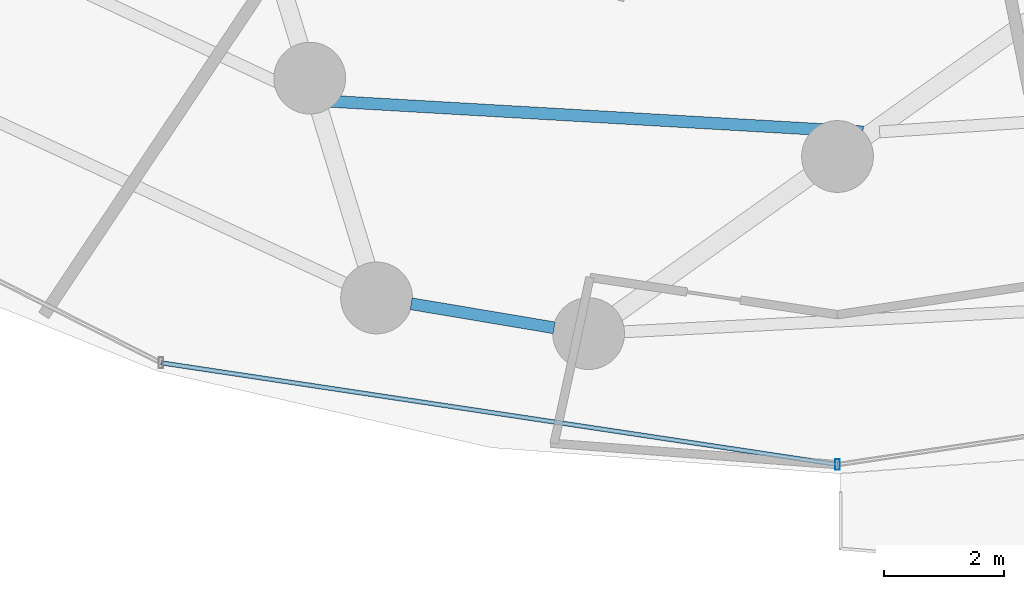
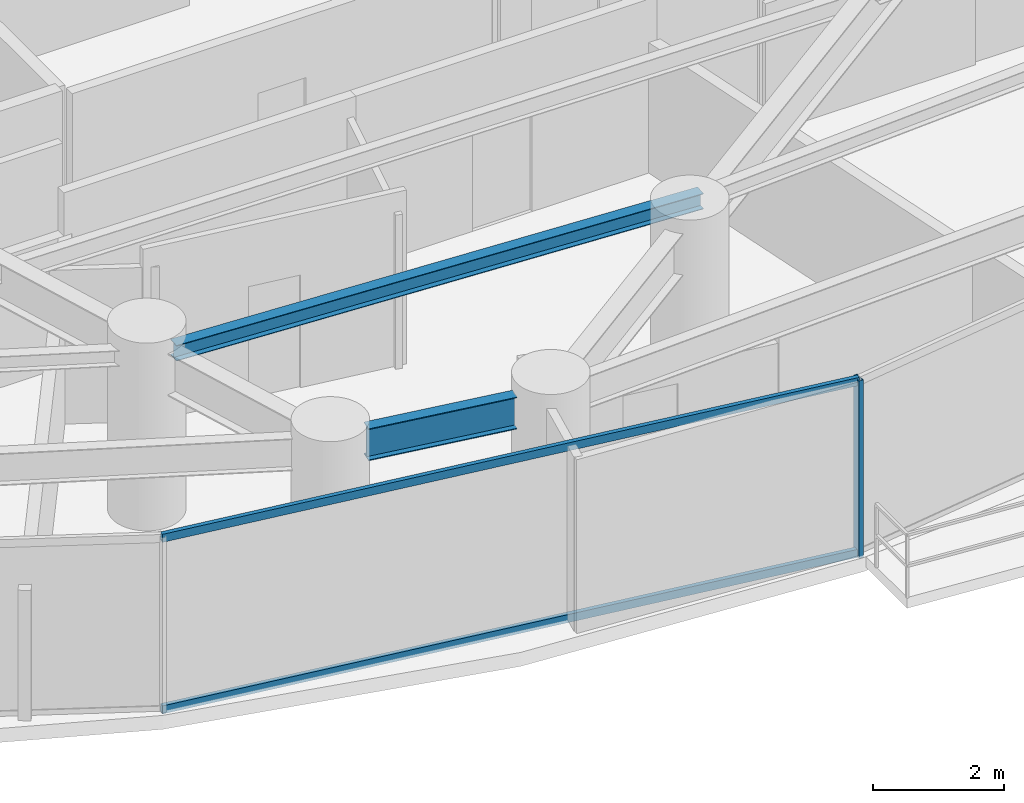
# One storey, part 6 of 34: 3 members, 2 beams, 1 element without a shape of its own.
"""IFC4 building model written with IfcOpenShell, lengths in metres."""

from ifc_helpers import new_model, si_unit, direction, frame, origin, origin_2d, place, context, subcontext, project, spatial, hollow_rectangle, i_section, extrude, material, material_profile, profile_set, type_object, element, aggregate, save


model = new_model("IFC4")

# Units and contexts
model_context = context("Model", 3, precision=1e-05, world=origin(), true_north=direction((0.0, 1.0)))
body_context = subcontext(model_context, "Body", "Model", "MODEL_VIEW")
ifc_project = project(units=[si_unit("LENGTHUNIT", "METRE"), si_unit("AREAUNIT", "SQUARE_METRE"), si_unit("VOLUMEUNIT", "CUBIC_METRE"), si_unit("PLANEANGLEUNIT", "RADIAN"), si_unit("MASSUNIT", "GRAM", prefix="KILO")], contexts=[model_context])

# Site, building, storey
site_placement = place(None, origin())
site = spatial("IfcSite", under=ifc_project, at=site_placement, CompositionType="ELEMENT")
building_placement = place(site_placement, origin())
building = spatial("IfcBuilding", under=site, at=building_placement, Name="Vorneva Point Tower", CompositionType="ELEMENT")
storey_placement = place(building_placement, frame((0.0, 0.0, 62.5)))
storey = spatial("IfcBuildingStorey", under=building, at=storey_placement, Name="L16", CompositionType="ELEMENT", Elevation=62.5)

# Beams
ifc_material_1 = material(Name="Steel S355", Category="steel")
ifc_material_profile_1 = material_profile(ifc_material_1, i_section(OverallWidth=0.199951171875, OverallDepth=0.291015625, WebThickness=0.008056640625, FlangeThickness=0.010986328125, at=origin_2d()), Name="30Sh1")
ifc_profile_set_1 = profile_set([ifc_material_profile_1], Name="Steel S355")
beam_type_1 = type_object("IfcBeamType", Name="BM-SEC-30Sh1", PredefinedType="BEAM", material=ifc_profile_set_1)
beam_1_placement = place(storey_placement, frame((29.430419921875, 9.727783203125, 3.094482421875), z_axis=(0.998351036717, -0.057403897832, 0.0), x_axis=(0.057403897832, 0.998351036717, 0.0)))
element("IfcBeam", 1, at=beam_1_placement, inside=storey, type_object=beam_type_1, Name="L16 Secondary Floor Beam 1.12", PredefinedType="BEAM", context=body_context, shape_type="SweptSolid", body=[
    extrude(i_section(OverallWidth=0.199951171875, OverallDepth=0.291015625, WebThickness=0.008056640625, FlangeThickness=0.010986328125, at=origin_2d()), origin(), (0.0, 0.0, 1.0), 9.01220703125),
])
ifc_material_profile_2 = material_profile(ifc_material_1, i_section(OverallWidth=0.198974609375, OverallDepth=0.595947265625, WebThickness=0.010009765625, FlangeThickness=0.014892578125, at=origin_2d()), Name="60B1")
ifc_profile_set_2 = profile_set([ifc_material_profile_2], Name="Steel S355")
beam_type_2 = type_object("IfcBeamType", Name="BM-SPN-60B1", PredefinedType="SPANDREL", material=ifc_profile_set_2)
beam_2_placement = place(storey_placement, frame((30.873779296875, 6.33837890625, 2.94189453125), z_axis=(0.986169723711, -0.165738577391, 0.0), x_axis=(0.165738577391, 0.986169723711, 0.0)))
element("IfcBeam", 2, at=beam_2_placement, inside=storey, type_object=beam_type_2, Name="L16 Perimeter Spandrel Ring Beam 12", PredefinedType="SPANDREL", context=body_context, shape_type="SweptSolid", body=[
    extrude(i_section(OverallWidth=0.198974609375, OverallDepth=0.595947265625, WebThickness=0.010009765625, FlangeThickness=0.014892578125, at=origin_2d()), origin(), (0.0, 0.0, 1.0), 2.423095703125),
])

# Curtain wall, members
ifc_material_2 = material(Name="Pale anodised aluminium", Category="aluminium")
curtain_wall_type = type_object("IfcCurtainWallType", Name="CW-HTL-SYS", PredefinedType="NOTDEFINED", material=ifc_material_2)
curtain_wall_placement = place(storey_placement, origin())
curtain_wall = element("IfcCurtainWall", 3, at=curtain_wall_placement, inside=storey, type_object=curtain_wall_type, Name="L16 Unitised Curtain Wall CW-L16-R04", PredefinedType="NOTDEFINED")
ifc_material_profile_3 = material_profile(ifc_material_2, hollow_rectangle(XDim=0.074951171875, YDim=0.179931640625, WallThickness=0.00390625, at=origin_2d()), Name="AL-MUL 180x75x4")
ifc_profile_set_3 = profile_set([ifc_material_profile_3], Name="Pale anodised aluminium")
member_type_1 = type_object("IfcMemberType", Name="CW-MUL-180", PredefinedType="MULLION", material=ifc_profile_set_3)
member_1_placement = place(storey_placement, frame((38.0, 3.64990234375, -0.0400390625), z_axis=(0.0, 0.0, 1.0), x_axis=(1.0, 0.0, 0.0)))
member_1 = element("IfcMember", 4, at=member_1_placement, type_object=member_type_1, Name="CW-L16-R04 Mullion 03", PredefinedType="MULLION", context=body_context, shape_type="SweptSolid", body=[
    extrude(hollow_rectangle(XDim=0.074951171875, YDim=0.179931640625, WallThickness=0.00390625, at=origin_2d()), origin(), (0.0, 0.0, 1.0), 3.31005859375),
])
ifc_material_profile_4 = material_profile(ifc_material_2, hollow_rectangle(XDim=0.074951171875, YDim=0.14990234375, WallThickness=0.00390625, at=origin_2d()), Name="AL-TRN 150x75x4")
ifc_profile_set_4 = profile_set([ifc_material_profile_4], Name="Pale anodised aluminium")
member_type_2 = type_object("IfcMemberType", Name="CW-TRN-150", PredefinedType="USERDEFINED", material=ifc_profile_set_4)
member_2_placement = place(storey_placement, frame((26.691650390625, 5.351318359375, 0.02001953125), z_axis=(0.988870014575, -0.148782036131, 0.0), x_axis=(0.148782036131, 0.988870014575, 0.0)))
member_2 = element("IfcMember", 5, at=member_2_placement, type_object=member_type_2, Name="CW-L16-R04 Transom 02.1", ObjectType="TRANSOM", PredefinedType="USERDEFINED", context=body_context, shape_type="SweptSolid", body=[
    extrude(hollow_rectangle(XDim=0.074951171875, YDim=0.14990234375, WallThickness=0.00390625, at=origin_2d()), origin(), (0.0, 0.0, 1.0), 11.435546875),
])
member_3_placement = place(storey_placement, frame((26.691650390625, 5.351318359375, 3.219970703125), z_axis=(0.988870014575, -0.148782036131, 0.0), x_axis=(0.148782036131, 0.988870014575, 0.0)))
member_3 = element("IfcMember", 6, at=member_3_placement, type_object=member_type_2, Name="CW-L16-R04 Transom 02.2", ObjectType="TRANSOM", PredefinedType="USERDEFINED", context=body_context, shape_type="SweptSolid", body=[
    extrude(hollow_rectangle(XDim=0.074951171875, YDim=0.14990234375, WallThickness=0.00390625, at=origin_2d()), origin(), (0.0, 0.0, 1.0), 11.435546875),
])
aggregate(curtain_wall, [member_1, member_2, member_3])

save(model, "model.ifc")
